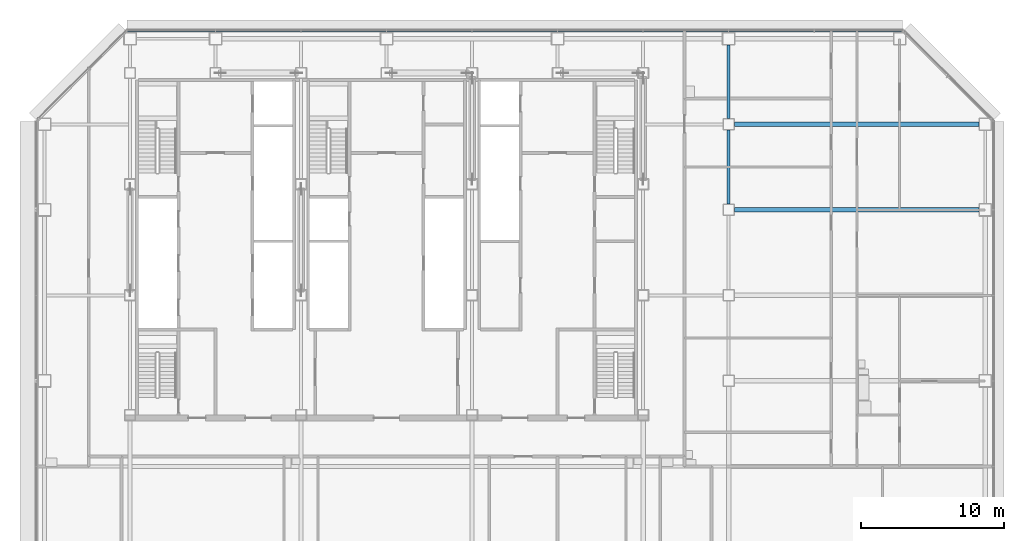
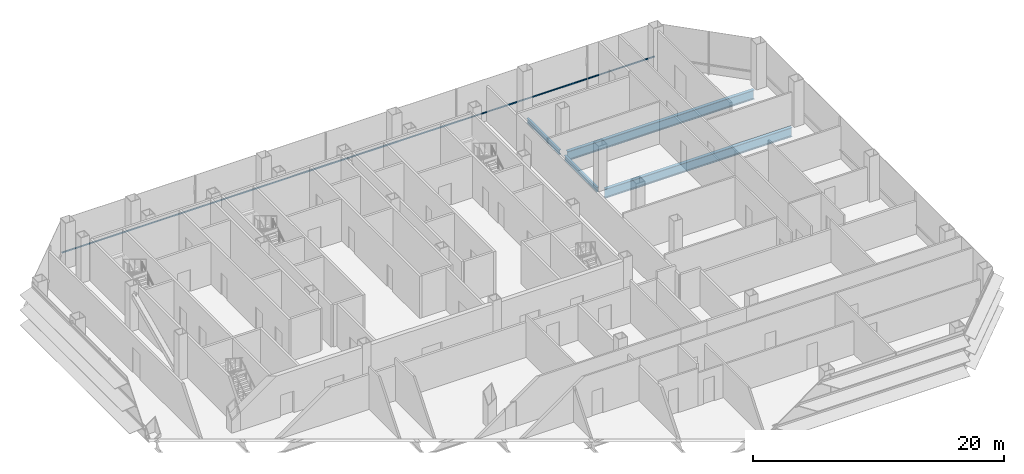
# One storey, part 14 of 27: 4 beams, 1 member, 1 element without a shape of its own.
"""IFC4 building model written with IfcOpenShell, lengths in metres."""

import ifcopenshell
import ifcopenshell.guid

model = None  # the IFC model being written
_history = None  # IfcOwnerHistory: only IFC2X3 demands one
_inside = {}  # id of a spatial element -> (the spatial element, [elements in it])
_under = {}  # id of a project, library or spatial element -> (it, [spatial elements below it])
_declared = {}  # id of a project -> (the project, [libraries it declares])
_typed = {}  # id of a type object -> (the type object, [elements of that type])
_made_of = {}  # id of a material, layer set ... -> (it, [elements and type objects made of it])


def new_model(schema):
    """Start an empty IFC model of exactly this schema.

    Asked for "IFC4X3", IfcOpenShell would pick the latest addendum, in which some entities
    have other attributes; the version numbers below select the first issue.
    IFC2X3 requires an IfcOwnerHistory on every rooted entity: one is made here for all.
    """
    global model, _history
    if schema == "IFC4X3":
        model = ifcopenshell.file(schema_version=(4, 3, 0, 0))
    else:
        model = ifcopenshell.file(schema=schema)
    _inside.clear()
    _under.clear()
    _declared.clear()
    _typed.clear()
    _made_of.clear()
    _history = None
    if model.schema == "IFC2X3":
        org = make("IfcOrganization", Name="unknown")
        user = make(
            "IfcPersonAndOrganization",
            ThePerson=make("IfcPerson", FamilyName="unknown"),
            TheOrganization=org,
        )
        app = make(
            "IfcApplication",
            ApplicationDeveloper=org,
            Version="unknown",
            ApplicationFullName="unknown",
            ApplicationIdentifier="unknown",
        )
        _history = make(
            "IfcOwnerHistory",
            OwningUser=user,
            OwningApplication=app,
            ChangeAction="ADDED",
            CreationDate=0,
        )
    return model


def make(cls, **values):
    """One entity of the class cls with the attributes given. An attribute that is None is left unset."""
    return model.create_entity(
        cls, **{name: value for name, value in values.items() if value is not None}
    )


def rooted(cls, **values):
    """An entity with a GlobalId (a new one), such as an element, a storey or a relation."""
    return make(cls, GlobalId=ifcopenshell.guid.new(), OwnerHistory=_history, **values)


def si_unit(unit_type, name, prefix=None):
    """IfcSIUnit, for example si_unit("LENGTHUNIT", "METRE", prefix="MILLI")."""
    return make("IfcSIUnit", UnitType=unit_type, Prefix=prefix, Name=name)


def assignment(units):
    """IfcUnitAssignment: the units of a project."""
    return None if units is None else make("IfcUnitAssignment", Units=units)


def point(xyz):
    """IfcCartesianPoint."""
    return None if xyz is None else make("IfcCartesianPoint", Coordinates=xyz)


def direction(xyz):
    """IfcDirection."""
    return None if xyz is None else make("IfcDirection", DirectionRatios=xyz)


def frame(location, z_axis=None, x_axis=None):
    """IfcAxis2Placement3D, a coordinate frame: its origin and axes. An axis left out is left unset."""
    return make(
        "IfcAxis2Placement3D",
        Location=point(location),
        Axis=direction(z_axis),
        RefDirection=direction(x_axis),
    )


def frame_2d(location, x_axis=None):
    """IfcAxis2Placement2D, a coordinate frame in the plane: its origin and x axis."""
    return make(
        "IfcAxis2Placement2D", Location=point(location), RefDirection=direction(x_axis)
    )


def origin():
    """The frame at (0, 0, 0) with its axes left unset."""
    return frame((0.0, 0.0, 0.0))


def origin_2d():
    """The frame at (0, 0) in the plane with its x axis left unset."""
    return frame_2d((0.0, 0.0))


def place(relative_to, where):
    """IfcLocalPlacement: puts the frame where relative to a parent placement (None: the world)."""
    return make(
        "IfcLocalPlacement", PlacementRelTo=relative_to, RelativePlacement=where
    )


def context(
    kind, dimensions, precision=None, world=None, true_north=None, identifier=None
):
    """IfcGeometricRepresentationContext, for example the 3D "Model" context."""
    return make(
        "IfcGeometricRepresentationContext",
        ContextIdentifier=identifier,
        ContextType=kind,
        CoordinateSpaceDimension=dimensions,
        Precision=precision,
        WorldCoordinateSystem=world,
        TrueNorth=true_north,
    )


def subcontext(parent, identifier, kind, view, scale=None):
    """IfcGeometricRepresentationSubContext, for example "Body" below "Model"."""
    return make(
        "IfcGeometricRepresentationSubContext",
        ContextIdentifier=identifier,
        ContextType=kind,
        ParentContext=parent,
        TargetScale=scale,
        TargetView=view,
    )


def project(units=None, contexts=None):
    """IfcProject with its units and contexts."""
    return rooted(
        "IfcProject",
        Name="project",
        RepresentationContexts=contexts,
        UnitsInContext=assignment(units),
    )


def spatial(cls, under=None, at=None, **own):
    """A site, building, storey or space (cls), placed at a placement, below another one or the project."""
    s = rooted(cls, ObjectPlacement=at, **own)
    if under is not None:
        _under.setdefault(under.id(), (under, []))[1].append(s)
    return s


def profile(cls, at=None, kind="AREA", **sizes):
    """A parametric profile (cls). Its sizes go by their IFC names, for example OverallWidth=200.0."""
    return make(cls, ProfileType=kind, Position=at, **sizes)


def rectangle(**sizes):
    """IfcRectangleProfileDef."""
    return profile("IfcRectangleProfileDef", **sizes)


def i_section(**sizes):
    """IfcIShapeProfileDef."""
    return profile("IfcIShapeProfileDef", **sizes)


def extrude(swept, where, along, depth):
    """IfcExtrudedAreaSolid: the profile swept, set in the frame where, extruded along a direction by depth."""
    return make(
        "IfcExtrudedAreaSolid",
        SweptArea=swept,
        Position=where,
        ExtrudedDirection=direction(along),
        Depth=depth,
    )


def shape(context_of_items, identifier, shape_type, items):
    """IfcShapeRepresentation: the items that make up one representation, for example the "Body"."""
    return make(
        "IfcShapeRepresentation",
        ContextOfItems=context_of_items,
        RepresentationIdentifier=identifier,
        RepresentationType=shape_type,
        Items=items,
    )


def material(Name=None, Category=None):
    """IfcMaterial."""
    return make("IfcMaterial", Name=Name, Category=Category)


def material_profile(
    of_material, cross_section, Name=None, Category=None, Priority=None
):
    """IfcMaterialProfile: a cross section and its material."""
    return make(
        "IfcMaterialProfile",
        Name=Name,
        Material=of_material,
        Profile=cross_section,
        Priority=Priority,
        Category=Category,
    )


def profile_set(profiles, Name=None, composite=None):
    """IfcMaterialProfileSet."""
    return make(
        "IfcMaterialProfileSet",
        Name=Name,
        MaterialProfiles=profiles,
        CompositeProfile=composite,
    )


def made_of(thing, what):
    """Note that an element or type object is made of a material, layer set ...; save() writes the relation."""
    if what is not None:
        _made_of.setdefault(what.id(), (what, []))[1].append(thing)
    return thing


def type_object(cls, material=None, **own):
    """A type object (cls), such as IfcWallType, which elements share."""
    return made_of(rooted(cls, **own), material)


def element(
    cls,
    number,
    at=None,
    inside=None,
    cuts=None,
    type_object=None,
    material=None,
    context=None,
    identifier="Body",
    shape_type=None,
    held_by="IfcProductDefinitionShape",
    body=None,
    shapes=None,
    **own,
):
    """One element of the class cls, such as IfcWall. Its Tag is "e" and its number.

    at: its placement. inside: the storey or other place that contains it. cuts: it is an
    opening in that element (IfcRelVoidsElement). A single representation is given by context,
    identifier, shape_type and body (its items); several are given by shapes. held_by: the class
    of the entity that holds the representations. save() writes the other relations.
    """
    e = rooted(cls, Tag="e%d" % number, ObjectPlacement=at, **own)
    if body is not None:
        shapes = [shape(context, identifier, shape_type, body)]
    if shapes is not None:
        e.Representation = make(held_by, Representations=shapes)
    if inside is not None:
        _inside.setdefault(inside.id(), (inside, []))[1].append(e)
    if cuts is not None:
        rooted(
            "IfcRelVoidsElement", RelatingBuildingElement=cuts, RelatedOpeningElement=e
        )
    if type_object is not None:
        _typed.setdefault(type_object.id(), (type_object, []))[1].append(e)
    return made_of(e, material)


def aggregate(whole, parts):
    """IfcRelAggregates: a whole, such as a stair, and the parts it consists of."""
    return rooted("IfcRelAggregates", RelatingObject=whole, RelatedObjects=parts)


def save(model, path):
    """Write the relations noted so far, then the file.

    IfcRelAggregates (storeys below a building ...), IfcRelContainedInSpatialStructure (elements
    in a storey), IfcRelDefinesByType, IfcRelAssociatesMaterial and IfcRelDeclares: one each for
    every whole, place, type object, material and project.
    """
    for whole, parts in _under.values():
        aggregate(whole, parts)
    for where, things in _inside.values():
        rooted(
            "IfcRelContainedInSpatialStructure",
            RelatedElements=things,
            RelatingStructure=where,
        )
    for kind, things in _typed.values():
        rooted("IfcRelDefinesByType", RelatedObjects=things, RelatingType=kind)
    for what, things in _made_of.values():
        rooted("IfcRelAssociatesMaterial", RelatedObjects=things, RelatingMaterial=what)
    for by, libraries in _declared.values():
        rooted("IfcRelDeclares", RelatingContext=by, RelatedDefinitions=libraries)
    model.write(path)


model = new_model("IFC4")

# Units and contexts
model_context = context("Model", 3, precision=1e-05, world=origin(), true_north=direction((0.0, 1.0)))
body_context = subcontext(model_context, "Body", "Model", "MODEL_VIEW")
ifc_project = project(units=[si_unit("LENGTHUNIT", "METRE"), si_unit("AREAUNIT", "SQUARE_METRE"), si_unit("VOLUMEUNIT", "CUBIC_METRE"), si_unit("PLANEANGLEUNIT", "RADIAN"), si_unit("MASSUNIT", "GRAM", prefix="KILO")], contexts=[model_context])

# Site, building, storey
site_placement = place(None, origin())
site = spatial("IfcSite", under=ifc_project, at=site_placement, CompositionType="ELEMENT")
building_placement = place(site_placement, origin())
building = spatial("IfcBuilding", under=site, at=building_placement, Name="Sorahane Residences", CompositionType="ELEMENT")
storey_placement = place(building_placement, frame((0.0, 0.0, 85.800048828125)))
storey = spatial("IfcBuildingStorey", under=building, at=storey_placement, Name="L18", CompositionType="ELEMENT", Elevation=85.800048828125)

# Curtain wall, member
ifc_material_1 = material(Name="Dark low-e glass and black anodised aluminium", Category="aluminium")
curtain_wall_type = type_object("IfcCurtainWallType", Name="Curtain wall CW-1 Typical unitised wall", PredefinedType="NOTDEFINED", material=ifc_material_1)
curtain_wall_placement = place(storey_placement, origin())
curtain_wall = element("IfcCurtainWall", 1, at=curtain_wall_placement, inside=storey, type_object=curtain_wall_type, Name="CW-1 curtain wall L18 N1", PredefinedType="NOTDEFINED")
ifc_material_2 = material(Name="Black anodised aluminium", Category="aluminium")
ifc_material_profile_1 = material_profile(ifc_material_2, rectangle(XDim=0.10009765625, YDim=0.06005859375, at=origin_2d()), Name="Curtain wall transom CW-1 black anodised aluminium 60x100")
ifc_profile_set_1 = profile_set([ifc_material_profile_1], Name="Black anodised aluminium")
member_type = type_object("IfcMemberType", Name="Curtain wall transom CW-1 black anodised aluminium 60x100", PredefinedType="USERDEFINED", material=ifc_profile_set_1)
member_placement = place(storey_placement, frame((60.198486328125, 48.530029296875, 0.89990234375), z_axis=(-1.0, 0.0, 0.0), x_axis=(0.0, -1.0, 0.0)))
member = element("IfcMember", 2, at=member_placement, type_object=member_type, Name="CW-1 transom L18 N1", ObjectType="TRANSOM", PredefinedType="USERDEFINED", context=body_context, shape_type="SweptSolid", body=[
    extrude(rectangle(XDim=0.10009765625, YDim=0.06005859375, at=origin_2d()), origin(), (0.0, 0.0, 1.0), 54.39697265625),
])
aggregate(curtain_wall, [member])

# Beams
ifc_material_3 = material(Name="Steel Q355B", Category="steel")
ifc_material_profile_2 = material_profile(ifc_material_3, i_section(OverallWidth=0.199951171875, OverallDepth=0.449951171875, WebThickness=0.009033203125, FlangeThickness=0.013916015625, FilletRadius=0.02001953125, at=origin_2d()), Name="HN 450x200x9x14")
ifc_profile_set_2 = profile_set([ifc_material_profile_2], Name="Steel Q355B")
beam_type_1 = type_object("IfcBeamType", Name="Steel floor beam HN 450x200x9x14 Q355B", PredefinedType="BEAM", material=ifc_profile_set_2)
beam_1_placement = place(storey_placement, frame((48.0, 36.39990234375, -0.405029296875), z_axis=(0.0, 1.0, 0.0), x_axis=(-1.0, 0.0, 0.0)))
element("IfcBeam", 3, at=beam_1_placement, inside=storey, type_object=beam_type_1, Name="Beam L18 055", PredefinedType="BEAM", context=body_context, shape_type="SweptSolid", body=[
    extrude(i_section(OverallWidth=0.199951171875, OverallDepth=0.449951171875, WebThickness=0.009033203125, FlangeThickness=0.013916015625, FilletRadius=0.02001953125, at=origin_2d()), origin(), (0.0, 0.0, 1.0), 5.2001953125),
])
beam_2_placement = place(storey_placement, frame((48.0, 42.39990234375, -0.405029296875), z_axis=(0.0, 1.0, 0.0), x_axis=(-1.0, 0.0, 0.0)))
element("IfcBeam", 4, at=beam_2_placement, inside=storey, type_object=beam_type_1, Name="Beam L18 056", PredefinedType="BEAM", context=body_context, shape_type="SweptSolid", body=[
    extrude(i_section(OverallWidth=0.199951171875, OverallDepth=0.449951171875, WebThickness=0.009033203125, FlangeThickness=0.013916015625, FilletRadius=0.02001953125, at=origin_2d()), origin(), (0.0, 0.0, 1.0), 5.150146484375),
])
ifc_material_4 = material(Name="Steel Q355B", Category="steel")
ifc_material_profile_3 = material_profile(ifc_material_4, i_section(OverallWidth=0.300048828125, OverallDepth=0.89990234375, WebThickness=0.01611328125, FlangeThickness=0.028076171875, FilletRadius=0.028076171875, at=origin_2d()), Name="HN 900x300x16x28")
ifc_profile_set_3 = profile_set([ifc_material_profile_3], Name="Steel Q355B")
beam_type_2 = type_object("IfcBeamType", Name="Steel floor beam HN 900x300x16x28 Q355B", PredefinedType="BEAM", material=ifc_profile_set_3)
for number, where, z_axis, x_axis, name in (
    (5, (48.39990234375, 36.0, -0.630126953125), (1.0, 0.0, 0.0), (0.0, 1.0, 0.0), "Beam L18 011"),
    (6, (48.39990234375, 42.0, -0.630126953125), (1.0, 0.0, 0.0), (0.0, 1.0, 0.0), "Beam L18 081"),
):
    element("IfcBeam", number, at=place(storey_placement, frame(where, z_axis=z_axis, x_axis=x_axis)), inside=storey, type_object=beam_type_2, Name=name, PredefinedType="BEAM", context=body_context, shape_type="SweptSolid", body=[
        extrude(i_section(OverallWidth=0.300048828125, OverallDepth=0.89990234375, WebThickness=0.01611328125, FlangeThickness=0.028076171875, FilletRadius=0.028076171875, at=origin_2d()), origin(), (0.0, 0.0, 1.0), 17.150146484375),
    ])

save(model, "model.ifc")
